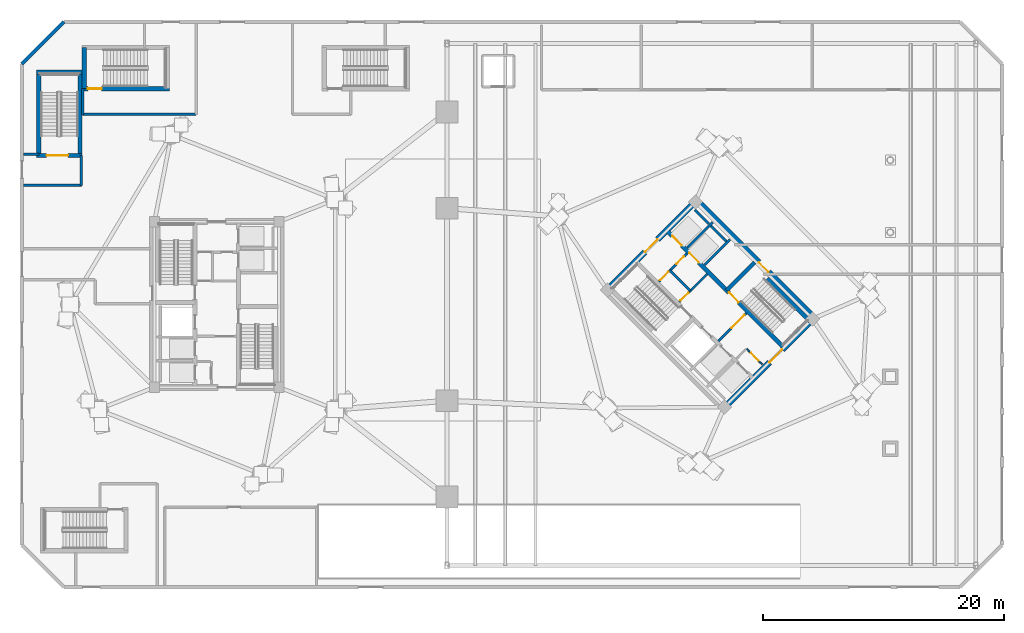
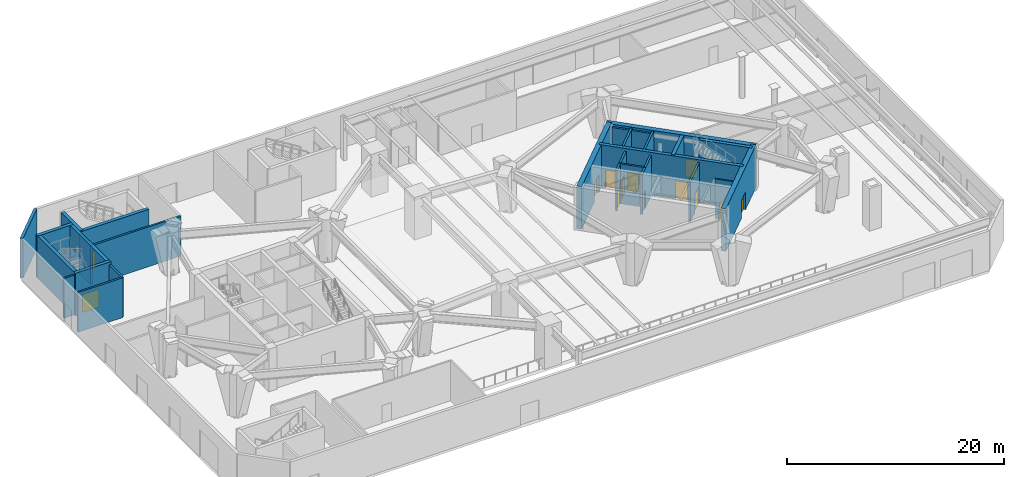
# One storey, part 8 of 17: 27 walls, 13 doors, 13 openings.
"""IFC4 building model written with IfcOpenShell, lengths in metres."""

from ifc_helpers import new_model, si_unit, direction, frame, frame_2d, origin, place, context, subcontext, project, spatial, rectangle, extrude, source, transform, mapped, material, layer, layer_set, type_object, element, fill, save


model = new_model("IFC4")

# Units and contexts
model_context = context("Model", 3, precision=1e-05, world=origin(), true_north=direction((0.0, 1.0)))
body_context = subcontext(model_context, "Body", "Model", "MODEL_VIEW")
ifc_project = project(units=[si_unit("LENGTHUNIT", "METRE"), si_unit("AREAUNIT", "SQUARE_METRE"), si_unit("VOLUMEUNIT", "CUBIC_METRE"), si_unit("PLANEANGLEUNIT", "RADIAN"), si_unit("MASSUNIT", "GRAM", prefix="KILO")], contexts=[model_context])

# Site, building, storey
site_placement = place(None, origin())
site = spatial("IfcSite", under=ifc_project, at=site_placement, CompositionType="ELEMENT")
building_placement = place(site_placement, origin())
building = spatial("IfcBuilding", under=site, at=building_placement, Name="Cununo Teusaquillo Station Towers", CompositionType="ELEMENT")
storey_placement = place(building_placement, origin())
storey = spatial("IfcBuildingStorey", under=building, at=storey_placement, Name="L00", CompositionType="ELEMENT", Elevation=0.0)

# Walls
ifc_material_1 = material(Name="Concrete C50/60", Category="concrete")
ifc_layer_1 = layer(ifc_material_1, 0.199951171875)
ifc_layer_set_1 = layer_set([ifc_layer_1], Name="Concrete C50/60")
wall_type_1 = type_object("IfcWallType", Name="WL-CORE-200", PredefinedType="SHEAR", material=ifc_layer_set_1)
wall_1_placement = place(storey_placement, frame((57.0615234375, 27.781005859375, 0.0), z_axis=(0.0, 0.0, 1.0), x_axis=(0.707106781187, 0.707106781187, 0.0)))
element("IfcWall", 1, at=wall_1_placement, inside=storey, type_object=wall_type_1, Name="L00 Tower B Low-Rise Lift Hoistway South Shear Wall", PredefinedType="SHEAR", context=body_context, shape_type="SweptSolid", body=[
    extrude(rectangle(XDim=2.969970703125, YDim=0.199951171875, at=frame_2d((1.48486328125, 0.0))), origin(), (0.0, 0.0, 1.0), 4.800048828125),
])
wall_2_placement = place(storey_placement, frame((55.615478515625, 29.22705078125, 0.0), z_axis=(0.0, 0.0, 1.0), x_axis=(0.707147878904, 0.70706568108, 0.0)))
element("IfcWall", 2, at=wall_2_placement, inside=storey, type_object=wall_type_1, Name="L00 Tower B Low-Rise Lift Hoistway Divider Shear Wall", PredefinedType="SHEAR", context=body_context, shape_type="SweptSolid", body=[
    extrude(rectangle(XDim=2.97021484375, YDim=0.199951171875, at=frame_2d((1.485107421875, 0.0))), origin(), (0.0, 0.0, 1.0), 4.800048828125),
])
wall_3_placement = place(storey_placement, frame((58.86474609375, 29.75390625, 0.0), z_axis=(0.0, 0.0, 1.0), x_axis=(-0.707174411312, 0.707039144592, 0.0)))
element("IfcWall", 3, at=wall_3_placement, inside=storey, type_object=wall_type_1, Name="L00 Tower B Low-Rise Lift 1 Shaft Rear Shear Wall", PredefinedType="SHEAR", context=body_context, shape_type="SweptSolid", body=[
    extrude(rectangle(XDim=1.804931640625, YDim=0.199951171875, at=frame_2d((0.90234375, 0.0))), origin(), (0.0, 0.0, 1.0), 4.800048828125),
])
wall_4_placement = place(storey_placement, frame((57.418701171875, 31.19970703125, 0.0), z_axis=(0.0, 0.0, 1.0), x_axis=(-0.707032117043, 0.707181437447, 0.0)))
element("IfcWall", 4, at=wall_4_placement, inside=storey, type_object=wall_type_1, Name="L00 Tower B Low-Rise Lift 2 Shaft Rear Shear Wall", PredefinedType="SHEAR", context=body_context, shape_type="SweptSolid", body=[
    extrude(rectangle(XDim=1.635009765625, YDim=0.199951171875, at=frame_2d((0.8173828125, 0.0))), origin(), (0.0, 0.0, 1.0), 4.800048828125),
])

# Wall, opening, door
ifc_material_2 = material(Name="Concrete C50/60", Category="concrete")
ifc_layer_2 = layer(ifc_material_2, 0.35009765625)
ifc_layer_set_2 = layer_set([ifc_layer_2], Name="Concrete C50/60")
wall_type_2 = type_object("IfcWallType", Name="WL-CORE-350", PredefinedType="SHEAR", material=ifc_layer_set_2)
wall_5_placement = place(storey_placement, frame((1.5400390625, 36.885009765625, 0.0), z_axis=(0.0, 0.0, 1.0), x_axis=(1.0, 0.0, 0.0)))
wall_5 = element("IfcWall", 5, at=wall_5_placement, inside=storey, type_object=wall_type_2, Name="L00 Podium West Exit Stair Concrete Shaft Wall S", PredefinedType="SHEAR", context=body_context, shape_type="SweptSolid", body=[
    extrude(rectangle(XDim=3.780029296875, YDim=0.35009765625, at=frame_2d((1.89013671875, 0.0))), origin(), (0.0, 0.0, 1.0), 4.800048828125),
])
shared_shape_1 = source(origin(), body_context, "Body", "SweptSolid", [
    extrude(rectangle(XDim=1.800048828125, YDim=2.050048828125, at=frame_2d((0.89990234375, 1.02490234375))), frame((0.0, 0.18505859375, 0.0), z_axis=(0.0, -1.0, 0.0), x_axis=(1.0, 0.0, 0.0)), (0.0, 0.0, 1.0), 0.3701171875),
])
opening_1_placement = place(wall_5_placement, frame((0.81494140625, 0.0, 0.0)))
opening_1 = element("IfcOpeningElement", 6, at=opening_1_placement, cuts=wall_5, Name="Opening D-BG1", PredefinedType="OPENING", context=body_context, shape_type="MappedRepresentation", body=[
    mapped(shared_shape_1, transform((0.0, 0.0, 0.0), x_axis=(1.0, 0.0, 0.0), y_axis=(0.0, 1.0, 0.0), z_axis=(0.0, 0.0, 1.0), scale=1.0)),
])
ifc_material_3 = material(Name="Galvanised fire-rated hollow steel door assembly", Category="steel")
door_type_1 = type_object("IfcDoorType", Name="DR-BRIDGE-1800", OperationType="DOUBLE_DOOR_SINGLE_SWING", PredefinedType="DOOR", material=ifc_material_3)
shared_shape_2 = source(origin(), body_context, "Body", "SweptSolid", [
    extrude(rectangle(XDim=1.800048828125, YDim=2.050048828125, at=frame_2d((0.89990234375, 1.02490234375))), frame((0.0, 0.02490234375, 0.0), z_axis=(0.0, -1.0, 0.0), x_axis=(1.0, 0.0, 0.0)), (0.0, 0.0, 1.0), 0.050048828125),
])
door_1_placement = place(opening_1_placement, origin())
door_1 = element("IfcDoor", 7, at=door_1_placement, inside=storey, type_object=door_type_1, Name="L00 West Podium Exit Stair Door", OperationType="DOUBLE_DOOR_SINGLE_SWING", OverallHeight=2.050048828125, OverallWidth=1.800048828125, PredefinedType="DOOR", context=body_context, shape_type="MappedRepresentation", body=[
    mapped(shared_shape_2, transform((0.0, 0.0, 0.0), x_axis=(1.0, 0.0, 0.0), y_axis=(0.0, 1.0, 0.0), z_axis=(0.0, 0.0, 1.0), scale=1.0)),
])
fill(opening_1, door_1)

# Walls
wall_6_placement = place(storey_placement, frame((1.5400390625, 43.81494140625, 0.0), z_axis=(0.0, 0.0, 1.0), x_axis=(1.0, 0.0, 0.0)))
element("IfcWall", 8, at=wall_6_placement, inside=storey, type_object=wall_type_2, Name="L00 Podium West Exit Stair Concrete Shaft Wall N", PredefinedType="SHEAR", context=body_context, shape_type="SweptSolid", body=[
    extrude(rectangle(XDim=3.780029296875, YDim=0.35009765625, at=frame_2d((1.89013671875, 0.0))), origin(), (0.0, 0.0, 1.0), 4.800048828125),
])
for number, where, z_axis, x_axis, name in (
    (9, (1.715087890625, 36.885009765625, 0.0), (0.0, 0.0, 1.0), (0.0, 1.0, 0.0), "L00 Podium West Exit Stair Concrete Shaft Wall W"),
    (10, (5.14501953125, 36.885009765625, 0.0), (0.0, 0.0, 1.0), (0.0, 1.0, 0.0), "L00 Podium West Exit Stair Concrete Shaft Wall E"),
):
    element("IfcWall", number, at=place(storey_placement, frame(where, z_axis=z_axis, x_axis=x_axis)), inside=storey, type_object=wall_type_2, Name=name, PredefinedType="SHEAR", context=body_context, shape_type="SweptSolid", body=[
        extrude(rectangle(XDim=6.929931640625, YDim=0.35009765625, at=frame_2d((3.46484375, 0.0))), origin(), (0.0, 0.0, 1.0), 4.800048828125),
    ])

# Wall, opening, door
wall_7_placement = place(storey_placement, frame((5.31005859375, 42.43505859375, 0.0), z_axis=(0.0, 0.0, 1.0), x_axis=(1.0, 0.0, 0.0)))
wall_7 = element("IfcWall", 11, at=wall_7_placement, inside=storey, type_object=wall_type_2, Name="L00 Podium North-West Exit Stair Concrete Shaft Wall S", PredefinedType="SHEAR", context=body_context, shape_type="SweptSolid", body=[
    extrude(rectangle(XDim=7.280029296875, YDim=0.35009765625, at=frame_2d((3.64013671875, 0.0))), origin(), (0.0, 0.0, 1.0), 4.800048828125),
])
shared_shape_3 = source(origin(), body_context, "Body", "SweptSolid", [
    extrude(rectangle(XDim=1.14990234375, YDim=2.02001953125, at=frame_2d((0.574951171875, 1.010009765625))), frame((0.0, 0.18505859375, 0.0), z_axis=(0.0, -1.0, 0.0), x_axis=(1.0, 0.0, 0.0)), (0.0, 0.0, 1.0), 0.3701171875),
])
opening_2_placement = place(wall_7_placement, frame((0.47998046875, 0.0, 0.0)))
opening_2 = element("IfcOpeningElement", 12, at=opening_2_placement, cuts=wall_7, Name="Opening D-ST1", PredefinedType="OPENING", context=body_context, shape_type="MappedRepresentation", body=[
    mapped(shared_shape_3, transform((0.0, 0.0, 0.0), x_axis=(1.0, 0.0, 0.0), y_axis=(0.0, 1.0, 0.0), z_axis=(0.0, 0.0, 1.0), scale=1.0)),
])
ifc_material_4 = material(Name="Galvanised fire-rated hollow steel door assembly", Category="steel")
door_type_2 = type_object("IfcDoorType", Name="DR-STAIR-1150", OperationType="NOTDEFINED", PredefinedType="DOOR", material=ifc_material_4)
shared_shape_4 = source(origin(), body_context, "Body", "SweptSolid", [
    extrude(rectangle(XDim=1.14990234375, YDim=2.02001953125, at=frame_2d((0.574951171875, 1.010009765625))), frame((0.0, 0.02490234375, 0.0), z_axis=(0.0, -1.0, 0.0), x_axis=(1.0, 0.0, 0.0)), (0.0, 0.0, 1.0), 0.050048828125),
])
door_2_placement = place(opening_2_placement, origin())
door_2 = element("IfcDoor", 13, at=door_2_placement, inside=storey, type_object=door_type_2, Name="L00 North-West Podium Exit Stair Door", OperationType="SINGLE_SWING_LEFT", OverallHeight=2.02001953125, OverallWidth=1.14990234375, PredefinedType="DOOR", context=body_context, shape_type="MappedRepresentation", body=[
    mapped(shared_shape_4, transform((0.0, 0.0, 0.0), x_axis=(1.0, 0.0, 0.0), y_axis=(0.0, 1.0, 0.0), z_axis=(0.0, 0.0, 1.0), scale=1.0)),
])
fill(opening_2, door_2)

# Wall
wall_8_placement = place(storey_placement, frame((5.485107421875, 42.43505859375, 0.0), z_axis=(0.0, 0.0, 1.0), x_axis=(0.0, 1.0, 0.0)))
element("IfcWall", 14, at=wall_8_placement, inside=storey, type_object=wall_type_2, Name="L00 Podium North-West Exit Stair Concrete Shaft Wall W", PredefinedType="SHEAR", context=body_context, shape_type="SweptSolid", body=[
    extrude(rectangle(XDim=3.429931640625, YDim=0.35009765625, at=frame_2d((1.71484375, 0.0))), origin(), (0.0, 0.0, 1.0), 4.800048828125),
])

# Wall, openings, doors
wall_9_placement = place(storey_placement, frame((63.662353515625, 20.904296875, 0.0), z_axis=(0.0, 0.0, 1.0), x_axis=(-0.707106781187, 0.707106781187, 0.0)))
wall_9 = element("IfcWall", 15, at=wall_9_placement, inside=storey, type_object=wall_type_2, Name="L00 Tower B Core Shear Wall IE", PredefinedType="SHEAR", context=body_context, shape_type="SweptSolid", body=[
    extrude(rectangle(XDim=13.800048828125, YDim=0.35009765625, at=frame_2d((6.89990234375, 0.0))), origin(), (0.0, 0.0, 1.0), 4.800048828125),
])
shared_shape_5 = source(origin(), body_context, "Body", "SweptSolid", [
    extrude(rectangle(XDim=1.10009765625, YDim=2.014892578125, at=frame_2d((0.550048828125, 1.00732421875))), frame((0.0, 0.18505859375, 0.0), z_axis=(0.0, -1.0, 0.0), x_axis=(1.0, 0.0, 0.0)), (0.0, 0.0, 1.0), 0.3701171875),
])
opening_3_placement = place(wall_9_placement, frame((10.02490234375, 0.0, 0.0)))
opening_3 = element("IfcOpeningElement", 16, at=opening_3_placement, cuts=wall_9, Name="Opening LD-01", PredefinedType="OPENING", context=body_context, shape_type="MappedRepresentation", body=[
    mapped(shared_shape_5, transform((0.0, 0.0, 0.0), x_axis=(1.0, 0.0, 0.0), y_axis=(0.0, 1.0, 0.0), z_axis=(0.0, 0.0, 1.0), scale=1.0)),
])
opening_4_placement = place(wall_9_placement, frame((12.02490234375, 0.0, 0.0)))
opening_4 = element("IfcOpeningElement", 17, at=opening_4_placement, cuts=wall_9, Name="Opening LD-01", PredefinedType="OPENING", context=body_context, shape_type="MappedRepresentation", body=[
    mapped(shared_shape_5, transform((0.0, 0.0, 0.0), x_axis=(1.0, 0.0, 0.0), y_axis=(0.0, 1.0, 0.0), z_axis=(0.0, 0.0, 1.0), scale=1.0)),
])
opening_5_placement = place(wall_9_placement, frame((5.330078125, 0.0, 0.0)))
opening_5 = element("IfcOpeningElement", 18, at=opening_5_placement, cuts=wall_9, Name="Opening D-ST1", PredefinedType="OPENING", context=body_context, shape_type="MappedRepresentation", body=[
    mapped(shared_shape_3, transform((0.0, 0.0, 0.0), x_axis=(1.0, 0.0, 0.0), y_axis=(0.0, 1.0, 0.0), z_axis=(0.0, 0.0, 1.0), scale=1.0)),
])
ifc_material_5 = material(Name="Galvanised fire-rated hollow steel door assembly", Category="steel")
door_type_3 = type_object("IfcDoorType", Name="DR-LIFT-1100", OperationType="SLIDING_TO_LEFT", PredefinedType="DOOR", material=ifc_material_5)
shared_shape_6 = source(origin(), body_context, "Body", "SweptSolid", [
    extrude(rectangle(XDim=1.10009765625, YDim=2.014892578125, at=frame_2d((0.550048828125, 1.00732421875))), frame((0.0, 0.02490234375, 0.0), z_axis=(0.0, -1.0, 0.0), x_axis=(1.0, 0.0, 0.0)), (0.0, 0.0, 1.0), 0.050048828125),
])
door_3_placement = place(opening_3_placement, origin())
door_3 = element("IfcDoor", 19, at=door_3_placement, inside=storey, type_object=door_type_3, Name="L00 Lift PL-T2-L1 Sliding Landing Door", OperationType="SLIDING_TO_LEFT", OverallHeight=2.014892578125, OverallWidth=1.10009765625, PredefinedType="DOOR", context=body_context, shape_type="MappedRepresentation", body=[
    mapped(shared_shape_6, transform((0.0, 0.0, 0.0), x_axis=(1.0, 0.0, 0.0), y_axis=(0.0, 1.0, 0.0), z_axis=(0.0, 0.0, 1.0), scale=1.0)),
])
fill(opening_3, door_3)
door_4_placement = place(opening_4_placement, origin())
door_4 = element("IfcDoor", 20, at=door_4_placement, inside=storey, type_object=door_type_3, Name="L00 Lift PL-T2-L2 Sliding Landing Door", OperationType="SLIDING_TO_RIGHT", OverallHeight=2.014892578125, OverallWidth=1.10009765625, PredefinedType="DOOR", context=body_context, shape_type="MappedRepresentation", body=[
    mapped(shared_shape_6, transform((0.0, 0.0, 0.0), x_axis=(1.0, 0.0, 0.0), y_axis=(0.0, 1.0, 0.0), z_axis=(0.0, 0.0, 1.0), scale=1.0)),
])
fill(opening_4, door_4)
door_5_placement = place(opening_5_placement, origin())
door_5 = element("IfcDoor", 21, at=door_5_placement, inside=storey, type_object=door_type_2, Name="L00 Tower B Exit Stair 2 Fire Door", OperationType="SINGLE_SWING_RIGHT", OverallHeight=2.02001953125, OverallWidth=1.14990234375, PredefinedType="DOOR", context=body_context, shape_type="MappedRepresentation", body=[
    mapped(shared_shape_4, transform((0.0, 0.0, 0.0), x_axis=(1.0, 0.0, 0.0), y_axis=(0.0, 1.0, 0.0), z_axis=(0.0, 0.0, 1.0), scale=1.0)),
])
fill(opening_5, door_5)

# Walls
wall_10_placement = place(storey_placement, frame((65.847412109375, 23.08935546875, 0.0), z_axis=(0.0, 0.0, 1.0), x_axis=(-0.707106781187, 0.707106781187, 0.0)))
element("IfcWall", 22, at=wall_10_placement, inside=storey, type_object=wall_type_2, Name="L00 Tower B Core Shear Wall ST2E", PredefinedType="SHEAR", context=body_context, shape_type="SweptSolid", body=[
    extrude(rectangle(XDim=5.0498046875, YDim=0.35009765625, at=frame_2d((2.52490234375, 0.0))), origin(), (0.0, 0.0, 1.0), 4.800048828125),
])
wall_11_placement = place(storey_placement, frame((58.89306640625, 25.673828125, 0.0), z_axis=(0.0, 0.0, 1.0), x_axis=(0.707106781187, 0.707106781187, 0.0)))
element("IfcWall", 23, at=wall_11_placement, inside=storey, type_object=wall_type_2, Name="L00 Tower B Core Shear Wall ST2N", PredefinedType="SHEAR", context=body_context, shape_type="SweptSolid", body=[
    extrude(rectangle(XDim=3.284912109375, YDim=0.35009765625, at=frame_2d((1.642578125, 0.0))), origin(), (0.0, 0.0, 1.0), 4.800048828125),
])

# Wall, opening, door
ifc_material_6 = material(Name="Concrete C60/75", Category="concrete")
ifc_layer_3 = layer(ifc_material_6, 0.5)
ifc_layer_set_3 = layer_set([ifc_layer_3], Name="Concrete C60/75")
wall_type_3 = type_object("IfcWallType", Name="WL-CORE-500", PredefinedType="SHEAR", material=ifc_layer_set_3)
wall_12_placement = place(storey_placement, frame((66.3388671875, 23.227294921875, 0.0), z_axis=(0.0, 0.0, 1.0), x_axis=(-0.707106781187, 0.707106781187, 0.0)))
wall_12 = element("IfcWall", 24, at=wall_12_placement, inside=storey, type_object=wall_type_3, Name="L00 Tower B Core Shear Wall E", PredefinedType="SHEAR", context=body_context, shape_type="SweptSolid", body=[
    extrude(rectangle(XDim=14.2998046875, YDim=0.5, at=frame_2d((7.14990234375, 0.0))), origin(), (0.0, 0.0, 1.0), 4.800048828125),
])
shared_shape_7 = source(origin(), body_context, "Body", "SweptSolid", [
    extrude(rectangle(XDim=1.14990234375, YDim=2.02001953125, at=frame_2d((0.574951171875, 1.010009765625))), frame((0.0, 0.260009765625, 0.0), z_axis=(0.0, -1.0, 0.0), x_axis=(1.0, 0.0, 0.0)), (0.0, 0.0, 1.0), 0.52001953125),
])
opening_6_placement = place(wall_12_placement, frame((5.60009765625, 0.0, 0.0)))
opening_6 = element("IfcOpeningElement", 25, at=opening_6_placement, cuts=wall_12, Name="Opening D-ST1", PredefinedType="OPENING", context=body_context, shape_type="MappedRepresentation", body=[
    mapped(shared_shape_7, transform((0.0, 0.0, 0.0), x_axis=(1.0, 0.0, 0.0), y_axis=(0.0, 1.0, 0.0), z_axis=(0.0, 0.0, 1.0), scale=1.0)),
])
door_6_placement = place(opening_6_placement, origin())
door_6 = element("IfcDoor", 26, at=door_6_placement, inside=storey, type_object=door_type_2, Name="L00 Tower B Exit Stair 2 Street Discharge Fire Door", OperationType="SINGLE_SWING_LEFT", OverallHeight=2.02001953125, OverallWidth=1.14990234375, PredefinedType="DOOR", context=body_context, shape_type="MappedRepresentation", body=[
    mapped(shared_shape_4, transform((0.0, 0.0, 0.0), x_axis=(1.0, 0.0, 0.0), y_axis=(0.0, 1.0, 0.0), z_axis=(0.0, 0.0, 1.0), scale=1.0)),
])
fill(opening_6, door_6)

wall_13_placement = place(storey_placement, frame((58.595947265625, 15.837890625, 0.0), z_axis=(0.0, 0.0, 1.0), x_axis=(0.707106781187, 0.707106781187, 0.0)))
wall_13 = element("IfcWall", 27, at=wall_13_placement, inside=storey, type_object=wall_type_3, Name="L00 Tower B Core Shear Wall S", PredefinedType="SHEAR", context=body_context, shape_type="SweptSolid", body=[
    extrude(rectangle(XDim=10.7001953125, YDim=0.5, at=frame_2d((5.35009765625, 0.0))), origin(), (0.0, 0.0, 1.0), 4.800048828125),
])
shared_shape_8 = source(origin(), body_context, "Body", "SweptSolid", [
    extrude(rectangle(XDim=1.5, YDim=2.02001953125, at=frame_2d((0.75, 1.010009765625))), frame((0.0, 0.260009765625, 0.0), z_axis=(0.0, -1.0, 0.0), x_axis=(1.0, 0.0, 0.0)), (0.0, 0.0, 1.0), 0.52001953125),
])
opening_7_placement = place(wall_13_placement, frame((5.449951171875, 0.0, 0.0)))
opening_7 = element("IfcOpeningElement", 28, at=opening_7_placement, cuts=wall_13, Name="Opening D-LB1", PredefinedType="OPENING", context=body_context, shape_type="MappedRepresentation", body=[
    mapped(shared_shape_8, transform((0.0, 0.0, 0.0), x_axis=(1.0, 0.0, 0.0), y_axis=(0.0, 1.0, 0.0), z_axis=(0.0, 0.0, 1.0), scale=1.0)),
])
ifc_material_7 = material(Name="Galvanised fire-rated hollow steel door assembly", Category="steel")
door_type_4 = type_object("IfcDoorType", Name="DR-LOBBY-1500", OperationType="DOUBLE_DOOR_SINGLE_SWING", PredefinedType="DOOR", material=ifc_material_7)
shared_shape_9 = source(origin(), body_context, "Body", "SweptSolid", [
    extrude(rectangle(XDim=1.5, YDim=2.02001953125, at=frame_2d((0.75, 1.010009765625))), frame((0.0, 0.02490234375, 0.0), z_axis=(0.0, -1.0, 0.0), x_axis=(1.0, 0.0, 0.0)), (0.0, 0.0, 1.0), 0.050048828125),
])
door_7_placement = place(opening_7_placement, origin())
door_7 = element("IfcDoor", 29, at=door_7_placement, inside=storey, type_object=door_type_4, Name="L00 Tower B South Core Lift Lobby Door", OperationType="DOUBLE_DOOR_SINGLE_SWING", OverallHeight=2.02001953125, OverallWidth=1.5, PredefinedType="DOOR", context=body_context, shape_type="MappedRepresentation", body=[
    mapped(shared_shape_9, transform((0.0, 0.0, 0.0), x_axis=(1.0, 0.0, 0.0), y_axis=(0.0, 1.0, 0.0), z_axis=(0.0, 0.0, 1.0), scale=1.0)),
])
fill(opening_7, door_7)

wall_14_placement = place(storey_placement, frame((48.837890625, 25.595947265625, 0.0), z_axis=(0.0, 0.0, 1.0), x_axis=(0.707106781187, 0.707106781187, 0.0)))
wall_14 = element("IfcWall", 30, at=wall_14_placement, inside=storey, type_object=wall_type_3, Name="L00 Tower B Core Shear Wall N", PredefinedType="SHEAR", context=body_context, shape_type="SweptSolid", body=[
    extrude(rectangle(XDim=10.7001953125, YDim=0.5, at=frame_2d((5.35009765625, 0.0))), origin(), (0.0, 0.0, 1.0), 4.800048828125),
])
opening_8_placement = place(wall_14_placement, frame((4.60009765625, 0.0, 0.0)))
opening_8 = element("IfcOpeningElement", 31, at=opening_8_placement, cuts=wall_14, Name="Opening D-LB1", PredefinedType="OPENING", context=body_context, shape_type="MappedRepresentation", body=[
    mapped(shared_shape_8, transform((0.0, 0.0, 0.0), x_axis=(1.0, 0.0, 0.0), y_axis=(0.0, 1.0, 0.0), z_axis=(0.0, 0.0, 1.0), scale=1.0)),
])
door_8_placement = place(opening_8_placement, origin())
door_8 = element("IfcDoor", 32, at=door_8_placement, inside=storey, type_object=door_type_4, Name="L00 Tower B North Core Lift Lobby Door", OperationType="DOUBLE_DOOR_SINGLE_SWING", OverallHeight=2.02001953125, OverallWidth=1.5, PredefinedType="DOOR", context=body_context, shape_type="MappedRepresentation", body=[
    mapped(shared_shape_9, transform((0.0, 0.0, 0.0), x_axis=(1.0, 0.0, 0.0), y_axis=(0.0, 1.0, 0.0), z_axis=(0.0, 0.0, 1.0), scale=1.0)),
])
fill(opening_8, door_8)

# Wall
ifc_material_8 = material(Name="Precast concrete C40/50", Category="concrete")
ifc_layer_4 = layer(ifc_material_8, 0.300048828125)
ifc_layer_set_4 = layer_set([ifc_layer_4], Name="Precast concrete C40/50")
wall_type_4 = type_object("IfcWallType", Name="WL-EXT-300", PredefinedType="SOLIDWALL", material=ifc_layer_set_4)
wall_15_placement = place(storey_placement, frame((0.300048828125, 44.5, 0.0), z_axis=(0.0, 0.0, 1.0), x_axis=(0.707106781187, 0.707106781187, 0.0)))
element("IfcWall", 33, at=wall_15_placement, inside=storey, type_object=wall_type_4, Name="L00 Station Podium Facade Wall 2", PredefinedType="SOLIDWALL", context=body_context, shape_type="SweptSolid", body=[
    extrude(rectangle(XDim=4.94970703125, YDim=0.300048828125, at=frame_2d((2.474853515625, 0.0))), origin(), (0.0, 0.0, 1.0), 4.485107421875),
])

# Wall, opening, door
ifc_material_9 = material(Name="Fire-rated gypsum plasterboard partition assembly", Category="gypsum")
ifc_layer_5 = layer(ifc_material_9, 0.125)
ifc_layer_set_5 = layer_set([ifc_layer_5], Name="Fire-rated gypsum plasterboard partition assembly")
wall_type_5 = type_object("IfcWallType", Name="WL-PART-125", PredefinedType="PARTITIONING", material=ifc_layer_set_5)
wall_16_placement = place(storey_placement, frame((61.834716796875, 19.529052734375, 0.0), z_axis=(0.0, 0.0, 1.0), x_axis=(-0.707174592913, 0.707038962956, 0.0)))
wall_16 = element("IfcWall", 34, at=wall_16_placement, inside=storey, type_object=wall_type_5, Name="L00 Tower B South-West Compact Store East Wall", PredefinedType="PARTITIONING", context=body_context, shape_type="SweptSolid", body=[
    extrude(rectangle(XDim=1.800048828125, YDim=0.125, at=frame_2d((0.89990234375, 0.0))), origin(), (0.0, 0.0, 1.0), 4.485107421875),
])
shared_shape_10 = source(origin(), body_context, "Body", "SweptSolid", [
    extrude(rectangle(XDim=0.89990234375, YDim=2.0048828125, at=frame_2d((0.449951171875, 1.00244140625))), frame((0.0, 0.072509765625, 0.0), z_axis=(0.0, -1.0, 0.0), x_axis=(1.0, 0.0, 0.0)), (0.0, 0.0, 1.0), 0.14501953125),
])
opening_9_placement = place(wall_16_placement, frame((0.419921875, 0.0, 0.0)))
opening_9 = element("IfcOpeningElement", 35, at=opening_9_placement, cuts=wall_16, Name="Opening D-SR1", PredefinedType="OPENING", context=body_context, shape_type="MappedRepresentation", body=[
    mapped(shared_shape_10, transform((0.0, 0.0, 0.0), x_axis=(1.0, 0.0, 0.0), y_axis=(0.0, 1.0, 0.0), z_axis=(0.0, 0.0, 1.0), scale=1.0)),
])
ifc_material_10 = material(Name="Galvanised fire-rated hollow steel door assembly", Category="steel")
door_type_5 = type_object("IfcDoorType", Name="DR-STORE-900", OperationType="NOTDEFINED", PredefinedType="DOOR", material=ifc_material_10)
shared_shape_11 = source(origin(), body_context, "Body", "SweptSolid", [
    extrude(rectangle(XDim=0.89990234375, YDim=2.0048828125, at=frame_2d((0.449951171875, 1.00244140625))), frame((0.0, 0.02490234375, 0.0), z_axis=(0.0, -1.0, 0.0), x_axis=(1.0, 0.0, 0.0)), (0.0, 0.0, 1.0), 0.050048828125),
])
door_9_placement = place(opening_9_placement, origin())
door_9 = element("IfcDoor", 36, at=door_9_placement, inside=storey, type_object=door_type_5, Name="L00 Tower B Core Electrical & Comms Store Door", OperationType="SINGLE_SWING_LEFT", OverallHeight=2.0048828125, OverallWidth=0.89990234375, PredefinedType="DOOR", context=body_context, shape_type="MappedRepresentation", body=[
    mapped(shared_shape_11, transform((0.0, 0.0, 0.0), x_axis=(1.0, 0.0, 0.0), y_axis=(0.0, 1.0, 0.0), z_axis=(0.0, 0.0, 1.0), scale=1.0)),
])
fill(opening_9, door_9)

ifc_material_11 = material(Name="Fire-rated gypsum plasterboard partition assembly", Category="gypsum")
ifc_layer_6 = layer(ifc_material_11, 0.199951171875)
ifc_layer_set_6 = layer_set([ifc_layer_6], Name="Fire-rated gypsum plasterboard partition assembly")
wall_type_6 = type_object("IfcWallType", Name="WL-PART-200", PredefinedType="PARTITIONING", material=ifc_layer_set_6)
wall_17_placement = place(storey_placement, frame((58.214111328125, 21.466552734375, 0.0), z_axis=(0.0, 0.0, 1.0), x_axis=(0.707106781187, 0.707106781187, 0.0)))
wall_17 = element("IfcWall", 37, at=wall_17_placement, inside=storey, type_object=wall_type_6, Name="L00 Tower B Firefighting Lift Lobby South Fire Wall", PredefinedType="PARTITIONING", context=body_context, shape_type="SweptSolid", body=[
    extrude(rectangle(XDim=3.280029296875, YDim=0.199951171875, at=frame_2d((1.64013671875, 0.0))), origin(), (0.0, 0.0, 1.0), 4.485107421875),
])
shared_shape_12 = source(origin(), body_context, "Body", "SweptSolid", [
    extrude(rectangle(XDim=1.5, YDim=2.02001953125, at=frame_2d((0.75, 1.010009765625))), frame((0.0, 0.10986328125, 0.0), z_axis=(0.0, -1.0, 0.0), x_axis=(1.0, 0.0, 0.0)), (0.0, 0.0, 1.0), 0.219970703125),
])
opening_10_placement = place(wall_17_placement, frame((1.550048828125, 0.0, 0.0)))
opening_10 = element("IfcOpeningElement", 38, at=opening_10_placement, cuts=wall_17, Name="Opening D-LB1", PredefinedType="OPENING", context=body_context, shape_type="MappedRepresentation", body=[
    mapped(shared_shape_12, transform((0.0, 0.0, 0.0), x_axis=(1.0, 0.0, 0.0), y_axis=(0.0, 1.0, 0.0), z_axis=(0.0, 0.0, 1.0), scale=1.0)),
])
door_10_placement = place(opening_10_placement, origin())
door_10 = element("IfcDoor", 39, at=door_10_placement, inside=storey, type_object=door_type_4, Name="L00 Tower B Firefighting Lift Lobby South Fire Door", OperationType="DOUBLE_DOOR_SINGLE_SWING", OverallHeight=2.02001953125, OverallWidth=1.5, PredefinedType="DOOR", context=body_context, shape_type="MappedRepresentation", body=[
    mapped(shared_shape_9, transform((0.0, 0.0, 0.0), x_axis=(1.0, 0.0, 0.0), y_axis=(0.0, 1.0, 0.0), z_axis=(0.0, 0.0, 1.0), scale=1.0)),
])
fill(opening_10, door_10)

wall_18_placement = place(storey_placement, frame((54.96142578125, 24.71923828125, 0.0), z_axis=(0.0, 0.0, 1.0), x_axis=(0.707106781187, 0.707106781187, 0.0)))
wall_18 = element("IfcWall", 40, at=wall_18_placement, inside=storey, type_object=wall_type_6, Name="L00 Tower B Firefighting Lift Lobby North Fire Wall", PredefinedType="PARTITIONING", context=body_context, shape_type="SweptSolid", body=[
    extrude(rectangle(XDim=3.280029296875, YDim=0.199951171875, at=frame_2d((1.64013671875, 0.0))), origin(), (0.0, 0.0, 1.0), 4.485107421875),
])
shared_shape_13 = source(origin(), body_context, "Body", "SweptSolid", [
    extrude(rectangle(XDim=0.89990234375, YDim=2.0048828125, at=frame_2d((0.449951171875, 1.00244140625))), frame((0.0, 0.10986328125, 0.0), z_axis=(0.0, -1.0, 0.0), x_axis=(1.0, 0.0, 0.0)), (0.0, 0.0, 1.0), 0.219970703125),
])
opening_11_placement = place(wall_18_placement, frame((0.159912109375, 0.0, 0.0)))
opening_11 = element("IfcOpeningElement", 41, at=opening_11_placement, cuts=wall_18, Name="Opening D-SR1", PredefinedType="OPENING", context=body_context, shape_type="MappedRepresentation", body=[
    mapped(shared_shape_13, transform((0.0, 0.0, 0.0), x_axis=(1.0, 0.0, 0.0), y_axis=(0.0, 1.0, 0.0), z_axis=(0.0, 0.0, 1.0), scale=1.0)),
])
door_11_placement = place(opening_11_placement, origin())
door_11 = element("IfcDoor", 42, at=door_11_placement, inside=storey, type_object=door_type_5, Name="L00 Tower B Stair 1 Protected Vestibule South Door", OperationType="SINGLE_SWING_LEFT", OverallHeight=2.0048828125, OverallWidth=0.89990234375, PredefinedType="DOOR", context=body_context, shape_type="MappedRepresentation", body=[
    mapped(shared_shape_11, transform((0.0, 0.0, 0.0), x_axis=(1.0, 0.0, 0.0), y_axis=(0.0, 1.0, 0.0), z_axis=(0.0, 0.0, 1.0), scale=1.0)),
])
fill(opening_11, door_11)

# Wall
wall_19_placement = place(storey_placement, frame((55.873779296875, 25.63134765625, 0.0), z_axis=(0.0, 0.0, 1.0), x_axis=(-0.707157639372, 0.707055919343, 0.0)))
element("IfcWall", 43, at=wall_19_placement, inside=storey, type_object=wall_type_6, Name="L00 Tower B Stair 1 Vestibule Partition Wall", PredefinedType="PARTITIONING", context=body_context, shape_type="SweptSolid", body=[
    extrude(rectangle(XDim=2.400146484375, YDim=0.199951171875, at=frame_2d((1.2001953125, 0.0))), origin(), (0.0, 0.0, 1.0), 4.485107421875),
])

# Wall, openings, doors
wall_20_placement = place(storey_placement, frame((53.264404296875, 26.416259765625, 0.0), z_axis=(0.0, 0.0, 1.0), x_axis=(0.707106781187, 0.707106781187, 0.0)))
wall_20 = element("IfcWall", 44, at=wall_20_placement, inside=storey, type_object=wall_type_6, Name="L00 Tower B North Lift Lobby South Fire Wall", PredefinedType="PARTITIONING", context=body_context, shape_type="SweptSolid", body=[
    extrude(rectangle(XDim=3.280029296875, YDim=0.199951171875, at=frame_2d((1.64013671875, 0.0))), origin(), (0.0, 0.0, 1.0), 4.485107421875),
])
shared_shape_14 = source(origin(), body_context, "Body", "SweptSolid", [
    extrude(rectangle(XDim=1.0, YDim=2.014892578125, at=frame_2d((0.5, 1.00732421875))), frame((0.0, 0.10986328125, 0.0), z_axis=(0.0, -1.0, 0.0), x_axis=(1.0, 0.0, 0.0)), (0.0, 0.0, 1.0), 0.219970703125),
])
opening_12_placement = place(wall_20_placement, frame((0.139892578125, 0.0, 0.0)))
opening_12 = element("IfcOpeningElement", 45, at=opening_12_placement, cuts=wall_20, Name="Opening D-AC1", PredefinedType="OPENING", context=body_context, shape_type="MappedRepresentation", body=[
    mapped(shared_shape_14, transform((0.0, 0.0, 0.0), x_axis=(1.0, 0.0, 0.0), y_axis=(0.0, 1.0, 0.0), z_axis=(0.0, 0.0, 1.0), scale=1.0)),
])
opening_13_placement = place(wall_20_placement, frame((2.050048828125, 0.0, 0.0)))
opening_13 = element("IfcOpeningElement", 46, at=opening_13_placement, cuts=wall_20, Name="Opening D-SR1", PredefinedType="OPENING", context=body_context, shape_type="MappedRepresentation", body=[
    mapped(shared_shape_13, transform((0.0, 0.0, 0.0), x_axis=(1.0, 0.0, 0.0), y_axis=(0.0, 1.0, 0.0), z_axis=(0.0, 0.0, 1.0), scale=1.0)),
])
door_12_placement = place(opening_13_placement, origin())
door_12 = element("IfcDoor", 47, at=door_12_placement, inside=storey, type_object=door_type_5, Name="L00 Tower B Core Housekeeping & Linen Store Door", OperationType="SINGLE_SWING_RIGHT", OverallHeight=2.0048828125, OverallWidth=0.89990234375, PredefinedType="DOOR", context=body_context, shape_type="MappedRepresentation", body=[
    mapped(shared_shape_11, transform((0.0, 0.0, 0.0), x_axis=(1.0, 0.0, 0.0), y_axis=(0.0, 1.0, 0.0), z_axis=(0.0, 0.0, 1.0), scale=1.0)),
])
fill(opening_13, door_12)
ifc_material_12 = material(Name="Acoustic solid-core hardwood leaf assembly", Category="wood")
door_type_6 = type_object("IfcDoorType", Name="DR-ACC-1000", OperationType="NOTDEFINED", PredefinedType="DOOR", material=ifc_material_12)
shared_shape_15 = source(origin(), body_context, "Body", "SweptSolid", [
    extrude(rectangle(XDim=1.0, YDim=2.014892578125, at=frame_2d((0.5, 1.00732421875))), frame((0.0, 0.02490234375, 0.0), z_axis=(0.0, -1.0, 0.0), x_axis=(1.0, 0.0, 0.0)), (0.0, 0.0, 1.0), 0.050048828125),
])
door_13_placement = place(opening_12_placement, origin())
door_13 = element("IfcDoor", 48, at=door_13_placement, inside=storey, type_object=door_type_6, Name="L00 Tower B North Lift Lobby to Stair 1 Vestibule Door", OperationType="SINGLE_SWING_RIGHT", OverallHeight=2.014892578125, OverallWidth=1.0, PredefinedType="DOOR", context=body_context, shape_type="MappedRepresentation", body=[
    mapped(shared_shape_15, transform((0.0, 0.0, 0.0), x_axis=(1.0, 0.0, 0.0), y_axis=(0.0, 1.0, 0.0), z_axis=(0.0, 0.0, 1.0), scale=1.0)),
])
fill(opening_12, door_13)

# Walls
wall_21_placement = place(storey_placement, frame((0.449951171875, 34.39990234375, 0.0), z_axis=(0.0, 0.0, 1.0), x_axis=(1.0, 0.0, 0.0)))
element("IfcWall", 49, at=wall_21_placement, inside=storey, type_object=wall_type_6, Name="L00 West Exit Passageway South Fire Wall", PredefinedType="PARTITIONING", context=body_context, shape_type="SweptSolid", body=[
    extrude(rectangle(XDim=4.800048828125, YDim=0.199951171875, at=frame_2d((2.39990234375, 0.0))), origin(), (0.0, 0.0, 1.0), 4.485107421875),
])
wall_22_placement = place(storey_placement, frame((5.25, 34.39990234375, 0.0), z_axis=(0.0, 0.0, 1.0), x_axis=(0.0, 1.0, 0.0)))
element("IfcWall", 50, at=wall_22_placement, inside=storey, type_object=wall_type_6, Name="L00 West Exit Passageway East Fire Wall", PredefinedType="PARTITIONING", context=body_context, shape_type="SweptSolid", body=[
    extrude(rectangle(XDim=2.485107421875, YDim=0.199951171875, at=frame_2d((1.24267578125, 0.0))), origin(), (0.0, 0.0, 1.0), 4.485107421875),
])
wall_23_placement = place(storey_placement, frame((0.449951171875, 37.0, 0.0), z_axis=(0.0, 0.0, 1.0), x_axis=(1.0, 0.0, 0.0)))
element("IfcWall", 51, at=wall_23_placement, inside=storey, type_object=wall_type_6, Name="L00 West Exit Passageway North Return Wall", PredefinedType="PARTITIONING", context=body_context, shape_type="SweptSolid", body=[
    extrude(rectangle(XDim=1.27001953125, YDim=0.199951171875, at=frame_2d((0.635009765625, 0.0))), origin(), (0.0, 0.0, 1.0), 4.485107421875),
])
wall_24_placement = place(storey_placement, frame((5.35009765625, 40.300048828125, 0.0), z_axis=(0.0, 0.0, 1.0), x_axis=(1.0, 0.0, 0.0)))
element("IfcWall", 52, at=wall_24_placement, inside=storey, type_object=wall_type_6, Name="L00 North-West Exit Passageway South Fire Wall", PredefinedType="PARTITIONING", context=body_context, shape_type="SweptSolid", body=[
    extrude(rectangle(XDim=9.449951171875, YDim=0.199951171875, at=frame_2d((4.72509765625, 0.0))), origin(), (0.0, 0.0, 1.0), 4.485107421875),
])
wall_25_placement = place(storey_placement, frame((5.35009765625, 40.300048828125, 0.0), z_axis=(0.0, 0.0, 1.0), x_axis=(0.0, 1.0, 0.0)))
element("IfcWall", 53, at=wall_25_placement, inside=storey, type_object=wall_type_6, Name="L00 North-West Exit Passageway West Return Wall", PredefinedType="PARTITIONING", context=body_context, shape_type="SweptSolid", body=[
    extrude(rectangle(XDim=2.139892578125, YDim=0.199951171875, at=frame_2d((1.06982421875, 0.0))), origin(), (0.0, 0.0, 1.0), 4.485107421875),
])

save(model, "model.ifc")
